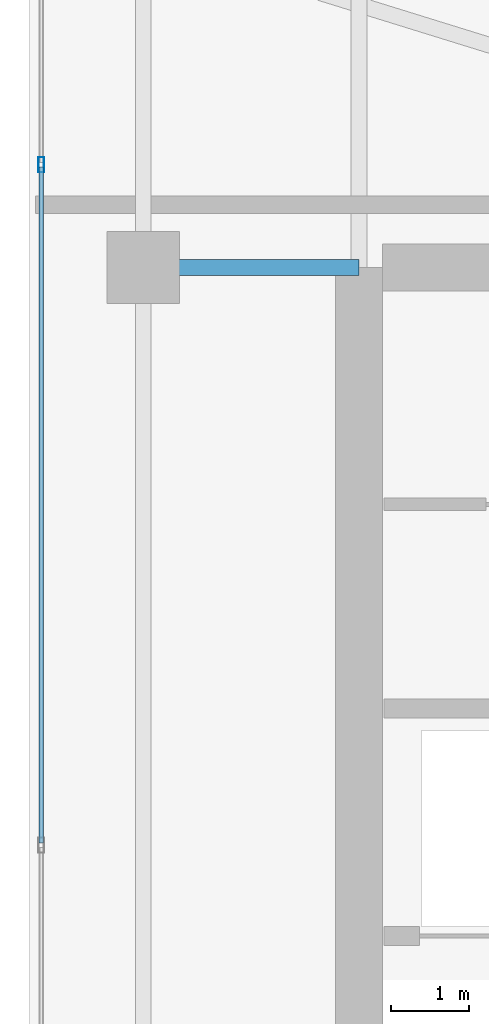
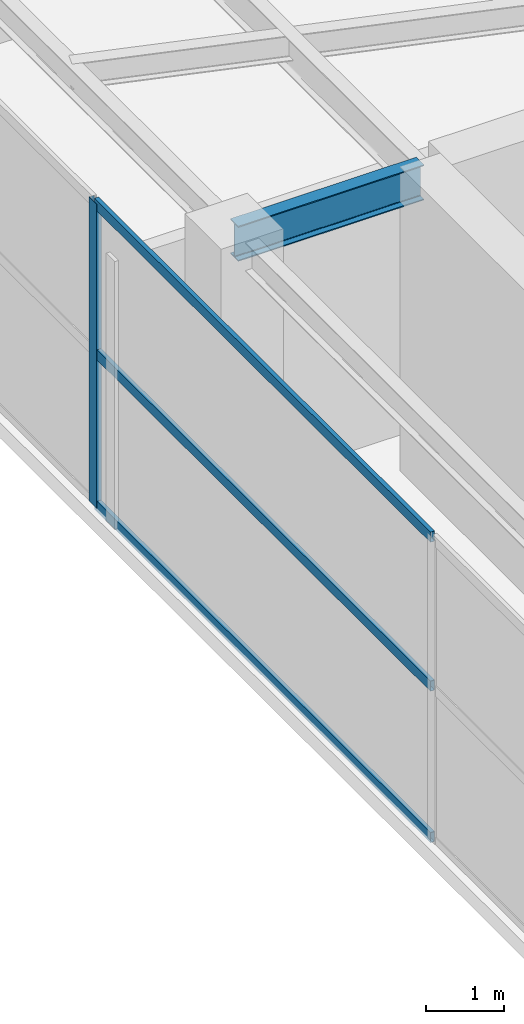
# One storey, part 13 of 21: 4 members, 1 beam, 1 element without a shape of its own.
"""IFC4 building model written with IfcOpenShell, lengths in metres."""

from ifc_helpers import new_model, si_unit, direction, frame, origin, origin_2d, place, context, subcontext, project, spatial, hollow_rectangle, i_section, extrude, material, layer, layer_set, material_profile, profile_set, type_object, element, aggregate, save


model = new_model("IFC4")

# Units and contexts
model_context = context("Model", 3, precision=1e-05, world=origin(), true_north=direction((0.0, 1.0)))
body_context = subcontext(model_context, "Body", "Model", "MODEL_VIEW")
ifc_project = project(units=[si_unit("LENGTHUNIT", "METRE"), si_unit("AREAUNIT", "SQUARE_METRE"), si_unit("VOLUMEUNIT", "CUBIC_METRE"), si_unit("PLANEANGLEUNIT", "RADIAN"), si_unit("MASSUNIT", "GRAM", prefix="KILO")], contexts=[model_context])

# Site, building, storey
site_placement = place(None, origin())
site = spatial("IfcSite", under=ifc_project, at=site_placement, CompositionType="ELEMENT")
building_placement = place(site_placement, origin())
building = spatial("IfcBuilding", under=site, at=building_placement, Name="Calvorn Quay Hotel", CompositionType="ELEMENT")
storey_placement = place(building_placement, frame((0.0, 0.0, 330.5)))
storey = spatial("IfcBuildingStorey", under=building, at=storey_placement, Name="L81", CompositionType="ELEMENT", Elevation=330.5)

# Beam
ifc_material_1 = material(Name="Steel Q355B", Category="steel")
ifc_material_profile_1 = material_profile(ifc_material_1, i_section(OverallWidth=0.199951171875, OverallDepth=0.550048828125, WebThickness=0.010009765625, FlangeThickness=0.01611328125, FilletRadius=0.01806640625, at=origin_2d()), Name="HN550x200x10x16")
ifc_profile_set_1 = profile_set([ifc_material_profile_1], Name="Steel Q355B")
beam_type = type_object("IfcBeamType", Name="BM-GIRD-UPP", PredefinedType="BEAM", material=ifc_profile_set_1)
beam_placement = place(storey_placement, frame((1.449951171875, 38.39990234375, 4.465087890625), z_axis=(1.0, 0.0, 0.0), x_axis=(0.0, 1.0, 0.0)))
element("IfcBeam", 1, at=beam_placement, inside=storey, type_object=beam_type, Name="Beam BG-L81-W3", PredefinedType="BEAM", context=body_context, shape_type="SweptSolid", body=[
    extrude(i_section(OverallWidth=0.199951171875, OverallDepth=0.550048828125, WebThickness=0.010009765625, FlangeThickness=0.01611328125, FilletRadius=0.01806640625, at=origin_2d()), origin(), (0.0, 0.0, 1.0), 2.75),
])

# Curtain wall, members
ifc_material_2 = material(Name="Pale Anodised Aluminium and Laminated Glass", Category="aluminium")
ifc_layer = layer(ifc_material_2, 0.219970703125)
ifc_layer_set = layer_set([ifc_layer], Name="CW-SYS-CRN")
curtain_wall_type = type_object("IfcCurtainWallType", Name="CW-SYS-CRN", PredefinedType="NOTDEFINED", material=ifc_layer_set)
curtain_wall_placement = place(storey_placement, origin())
curtain_wall = element("IfcCurtainWall", 2, at=curtain_wall_placement, inside=storey, type_object=curtain_wall_type, Name="Crown Curtain Wall L81-C5", PredefinedType="NOTDEFINED")
ifc_material_3 = material(Name="Pale Anodised Aluminium 6063-T6", Category="aluminium")
ifc_material_profile_2 = material_profile(ifc_material_3, hollow_rectangle(XDim=0.072021484375, YDim=0.195068359375, WallThickness=0.00390625, at=origin_2d()), Name="ALU-M195x72x4")
ifc_profile_set_2 = profile_set([ifc_material_profile_2], Name="Pale Anodised Aluminium 6063-T6")
member_type_1 = type_object("IfcMemberType", Name="CW-SYS-CRN-MUL", PredefinedType="MULLION", material=ifc_profile_set_2)
member_1_placement = place(storey_placement, frame((0.14990234375, 39.7080078125, 0.0), z_axis=(0.0, 0.0, 1.0), x_axis=(1.0, 0.0, 0.0)))
member_1 = element("IfcMember", 3, at=member_1_placement, type_object=member_type_1, Name="CW-L81-C5 mullion 2", PredefinedType="MULLION", context=body_context, shape_type="SweptSolid", body=[
    extrude(hollow_rectangle(XDim=0.072021484375, YDim=0.195068359375, WallThickness=0.00390625, at=origin_2d()), origin(), (0.0, 0.0, 1.0), 4.760009765625),
])
ifc_material_4 = material(Name="Pale Anodised Aluminium 6063-T6", Category="aluminium")
ifc_material_profile_3 = material_profile(ifc_material_4, hollow_rectangle(XDim=0.06201171875, YDim=0.159912109375, WallThickness=0.00341796875, at=origin_2d()), Name="ALU-T160x62x3.5")
ifc_profile_set_3 = profile_set([ifc_material_profile_3], Name="Pale Anodised Aluminium 6063-T6")
member_type_2 = type_object("IfcMemberType", Name="CW-SYS-CRN-TRN", PredefinedType="USERDEFINED", material=ifc_profile_set_3)
member_2_placement = place(storey_placement, frame((0.14990234375, 39.677978515625, 0.030029296875), z_axis=(0.0, -1.0, 0.0), x_axis=(1.0, 0.0, 0.0)))
member_2 = element("IfcMember", 4, at=member_2_placement, type_object=member_type_2, Name="CW-L81-C5 transom 2.1", ObjectType="TRANSOM", PredefinedType="USERDEFINED", context=body_context, shape_type="SweptSolid", body=[
    extrude(hollow_rectangle(XDim=0.06201171875, YDim=0.159912109375, WallThickness=0.00341796875, at=origin_2d()), origin(), (0.0, 0.0, 1.0), 8.612060546875),
])
member_3_placement = place(storey_placement, frame((0.14990234375, 39.677978515625, 2.39990234375), z_axis=(0.0, -1.0, 0.0), x_axis=(1.0, 0.0, 0.0)))
member_3 = element("IfcMember", 5, at=member_3_placement, type_object=member_type_2, Name="CW-L81-C5 transom 2.2", ObjectType="TRANSOM", PredefinedType="USERDEFINED", context=body_context, shape_type="SweptSolid", body=[
    extrude(hollow_rectangle(XDim=0.06201171875, YDim=0.159912109375, WallThickness=0.00341796875, at=origin_2d()), origin(), (0.0, 0.0, 1.0), 8.612060546875),
])
member_4_placement = place(storey_placement, frame((0.14990234375, 39.677978515625, 4.72998046875), z_axis=(0.0, -1.0, 0.0), x_axis=(1.0, 0.0, 0.0)))
member_4 = element("IfcMember", 6, at=member_4_placement, type_object=member_type_2, Name="CW-L81-C5 transom 2.3", ObjectType="TRANSOM", PredefinedType="USERDEFINED", context=body_context, shape_type="SweptSolid", body=[
    extrude(hollow_rectangle(XDim=0.06201171875, YDim=0.159912109375, WallThickness=0.00341796875, at=origin_2d()), origin(), (0.0, 0.0, 1.0), 8.612060546875),
])
aggregate(curtain_wall, [member_1, member_2, member_3, member_4])

save(model, "model.ifc")
